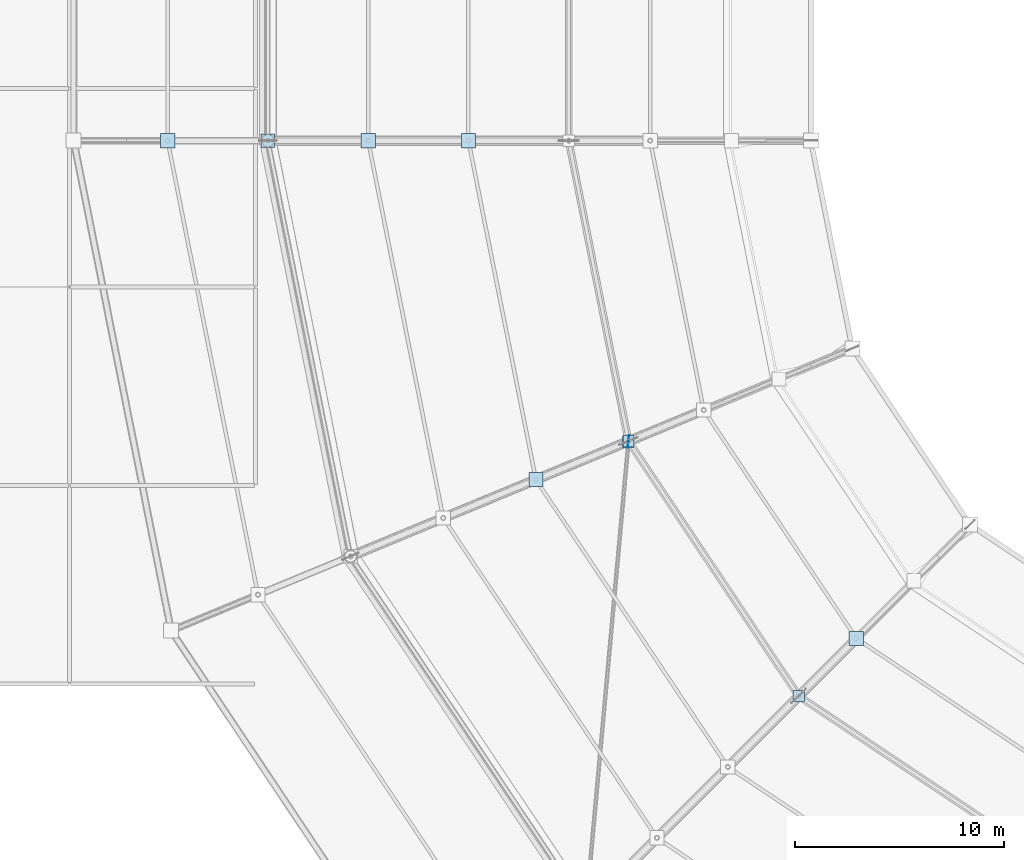
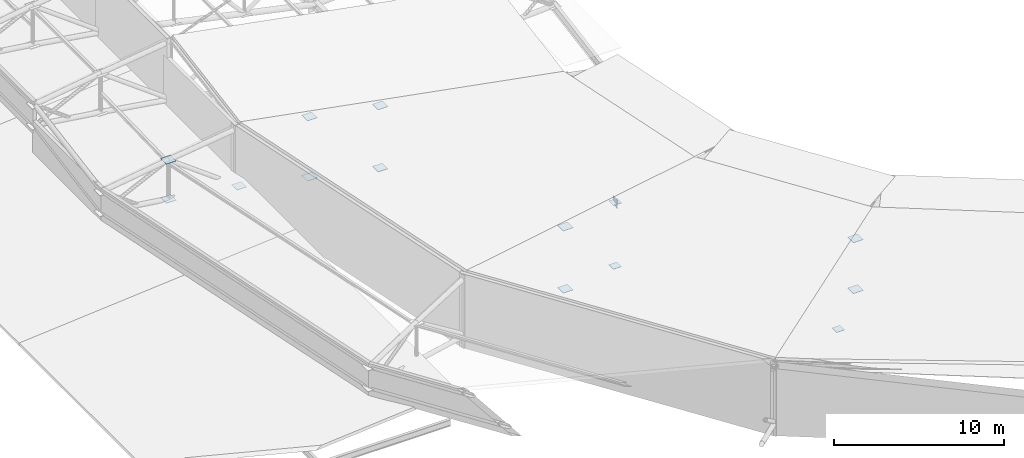
# One storey, part 125 of 146: 15 plates.
"""IFC4 building model written with IfcOpenShell, lengths in metres."""

from ifc_helpers import new_model, si_unit, direction, frame, origin, origin_2d, place, context, subcontext, project, spatial, rectangle, extrude, material, layer, layer_set, type_object, element, save


model = new_model("IFC4")

# Units and contexts
model_context = context("Model", 3, precision=1e-05, world=origin(), true_north=direction((0.0, 1.0)))
body_context = subcontext(model_context, "Body", "Model", "MODEL_VIEW")
ifc_project = project(units=[si_unit("LENGTHUNIT", "METRE"), si_unit("AREAUNIT", "SQUARE_METRE"), si_unit("VOLUMEUNIT", "CUBIC_METRE"), si_unit("PLANEANGLEUNIT", "RADIAN"), si_unit("MASSUNIT", "GRAM", prefix="KILO")], contexts=[model_context])

# Site, building, storey
site_placement = place(None, origin())
site = spatial("IfcSite", under=ifc_project, at=site_placement, CompositionType="ELEMENT")
building_placement = place(site_placement, origin())
building = spatial("IfcBuilding", under=site, at=building_placement, Name="Candeia Ridge Stadium", CompositionType="ELEMENT")
storey_placement = place(building_placement, frame((0.0, 0.0, 31.800048828125)))
storey = spatial("IfcBuildingStorey", under=building, at=storey_placement, Name="RF", CompositionType="ELEMENT", Elevation=31.800048828125)

# Plates
ifc_material = material(Name="Steel ASTM A572 Grade 50", Category="steel")
ifc_layer_1 = layer(ifc_material, 0.02490234375, Name="Steel ASTM A572 Grade 50", Category="steel")
ifc_layer_set_1 = layer_set([ifc_layer_1], Name="Steel ASTM A572 Grade 50")
plate_type_1 = type_object("IfcPlateType", Name="Hollow Section End Closure Plate CP1", PredefinedType="SHEET", material=ifc_layer_set_1)
plate_1_placement = place(storey_placement, frame((19.0, 71.0, 0.387451171875), z_axis=(0.0, 0.0, 1.0), x_axis=(1.0, 0.0, 0.0)))
element("IfcPlate", 1, at=plate_1_placement, inside=storey, type_object=plate_type_1, Name="Hollow section end closure plate MCAP-T-BC-OU-14", PredefinedType="SHEET", context=body_context, shape_type="SweptSolid", body=[
    extrude(rectangle(XDim=0.639892578125, YDim=0.639892578125, at=origin_2d()), origin(), (0.0, 0.0, 1.0), 0.02490234375),
])
for number, where, z_axis, x_axis, name in (
    (2, (36.26220703125, 56.611083984375, -2.676513671875), (0.0, 0.0, 1.0), (1.0, 0.0, 0.0), "Hollow section end closure plate MCAP-T-BC-MD-15"),
    (3, (44.412841796875, 44.412841796875, -2.676513671875), (0.0, 0.0, 1.0), (1.0, 0.0, 0.0), "Hollow section end closure plate MCAP-T-BC-MD-16"),
):
    element("IfcPlate", number, at=place(storey_placement, frame(where, z_axis=z_axis, x_axis=x_axis)), inside=storey, type_object=plate_type_1, Name=name, PredefinedType="SHEET", context=body_context, shape_type="SweptSolid", body=[
        extrude(rectangle(XDim=0.5400390625, YDim=0.5400390625, at=origin_2d()), origin(), (0.0, 0.0, 1.0), 0.02490234375),
    ])
ifc_layer_2 = layer(ifc_material, 0.02490234375, Name="Steel ASTM A572 Grade 50", Category="steel")
ifc_layer_set_2 = layer_set([ifc_layer_2], Name="Steel ASTM A572 Grade 50")
plate_type_2 = type_object("IfcPlateType", Name="Hollow Section End Closure Plate CP3", PredefinedType="SHEET", material=ifc_layer_set_2)
for number, where, z_axis, x_axis, name in (
    (4, (28.60009765625, 71.0, 2.8115234375), (0.0, 0.0, 1.0), (1.0, 0.0, 0.0), "Hollow section end closure plate NCAP-T-14-4"),
    (5, (28.60009765625, 71.0, -1.6552734375), (0.0, 0.0, 1.0), (1.0, 0.0, 0.0), "Hollow section end closure plate NCAP-B-14-4"),
    (6, (23.800048828125, 71.0, 3.699462890625), (0.0, 0.0, 1.0), (1.0, 0.0, 0.0), "Hollow section end closure plate NCAP-T-14-5"),
    (7, (23.800048828125, 71.0, -0.6337890625), (0.0, 0.0, 1.0), (1.0, 0.0, 0.0), "Hollow section end closure plate NCAP-B-14-5"),
    (8, (14.199951171875, 71.0, 3.94580078125), (0.0, 0.0, 1.0), (1.0, 0.0, 0.0), "Hollow section end closure plate NCAP-T-14-7"),
    (9, (14.199951171875, 71.0, 1.139404296875), (0.0, 0.0, 1.0), (1.0, 0.0, 0.0), "Hollow section end closure plate NCAP-B-14-7"),
    (10, (31.827392578125, 54.774169921875, 2.8115234375), (0.0, 0.0, 1.0), (1.0, 0.0, 0.0), "Hollow section end closure plate NCAP-T-15-4"),
    (11, (31.827392578125, 54.774169921875, -1.6552734375), (0.0, 0.0, 1.0), (1.0, 0.0, 0.0), "Hollow section end closure plate NCAP-B-15-4"),
):
    element("IfcPlate", number, at=place(storey_placement, frame(where, z_axis=z_axis, x_axis=x_axis)), inside=storey, type_object=plate_type_2, Name=name, PredefinedType="SHEET", context=body_context, shape_type="SweptSolid", body=[
        extrude(rectangle(XDim=0.679931640625, YDim=0.679931640625, at=origin_2d()), origin(), (0.0, 0.0, 1.0), 0.02490234375),
    ])
plate_2_placement = place(storey_placement, frame((36.26025390625, 56.59130859375, 1.92578125), z_axis=(0.0, 0.0, 1.0), x_axis=(1.0, 0.0, 0.0)))
element("IfcPlate", 12, at=plate_2_placement, inside=storey, type_object=plate_type_2, Name="Hollow section end closure plate WBCAP-A-15", PredefinedType="SHEET", context=body_context, shape_type="SweptSolid", body=[
    extrude(rectangle(XDim=0.550048828125, YDim=0.550048828125, at=origin_2d()), origin(), (0.0, 0.0, 1.0), 0.02490234375),
])
for number, where, z_axis, x_axis, name in (
    (13, (47.17041015625, 47.17041015625, 1.201904296875), (0.0, 0.0, 1.0), (1.0, 0.0, 0.0), "Hollow section end closure plate NCAP-T-16-2"),
    (14, (47.17041015625, 47.17041015625, -2.45654296875), (0.0, 0.0, 1.0), (1.0, 0.0, 0.0), "Hollow section end closure plate NCAP-B-16-2"),
):
    element("IfcPlate", number, at=place(storey_placement, frame(where, z_axis=z_axis, x_axis=x_axis)), inside=storey, type_object=plate_type_2, Name=name, PredefinedType="SHEET", context=body_context, shape_type="SweptSolid", body=[
        extrude(rectangle(XDim=0.679931640625, YDim=0.679931640625, at=origin_2d()), origin(), (0.0, 0.0, 1.0), 0.02490234375),
    ])
ifc_layer_3 = layer(ifc_material, 0.02392578125, Name="Steel ASTM A572 Grade 50", Category="steel")
ifc_layer_set_3 = layer_set([ifc_layer_3], Name="Steel ASTM A572 Grade 50")
plate_type_3 = type_object("IfcPlateType", Name="Roof Truss Chord-Web Node Gusset ND-3", PredefinedType="USERDEFINED", material=ifc_layer_set_3)
plate_3_placement = place(storey_placement, frame((36.26025390625, 56.59130859375, 1.63818359375), z_axis=(0.0, 0.0, 1.0), x_axis=(-0.090406618864, -0.995904936862, 0.0)))
element("IfcPlate", 15, at=plate_3_placement, inside=storey, type_object=plate_type_3, Name="Roof wind brace end gusset A bay 16", ObjectType="GUSSET PLATE", PredefinedType="USERDEFINED", context=body_context, shape_type="SweptSolid", body=[
    extrude(rectangle(XDim=0.60009765625, YDim=0.02392578125, at=origin_2d()), origin(), (0.0, 0.0, 1.0), 0.60009765625),
])

save(model, "model.ifc")
